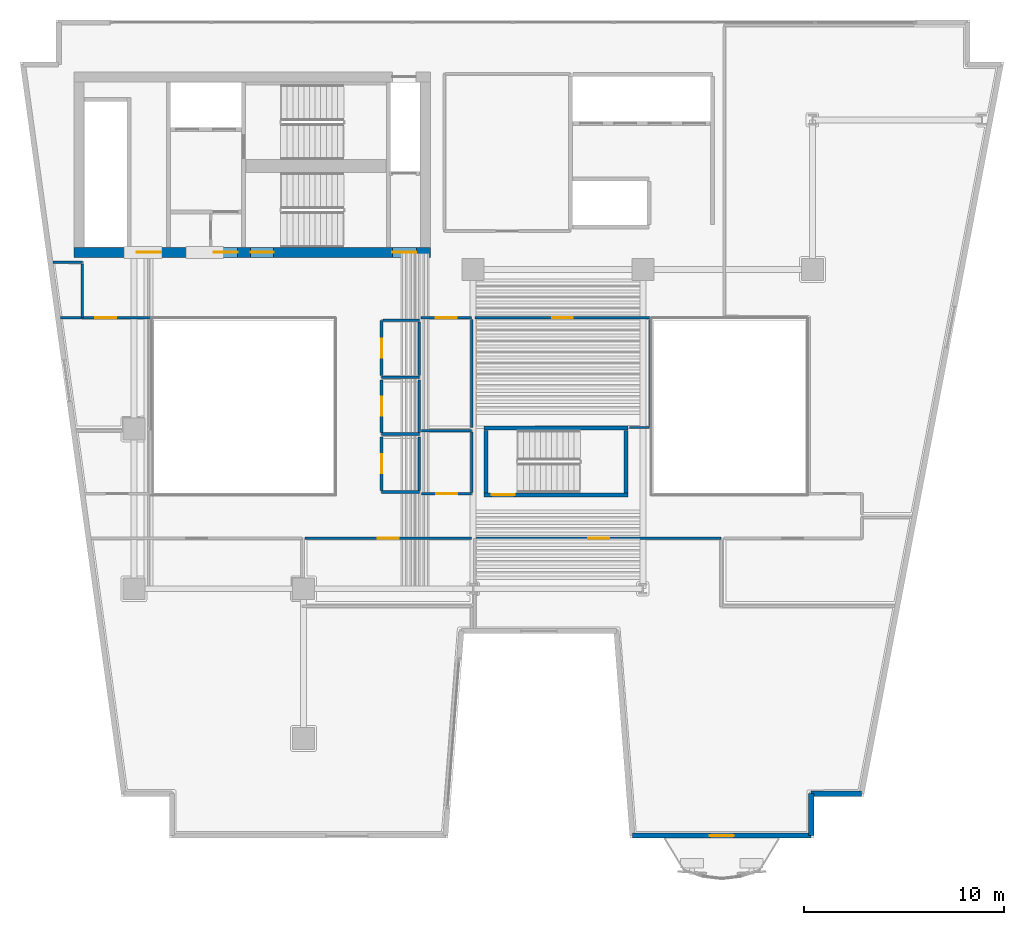
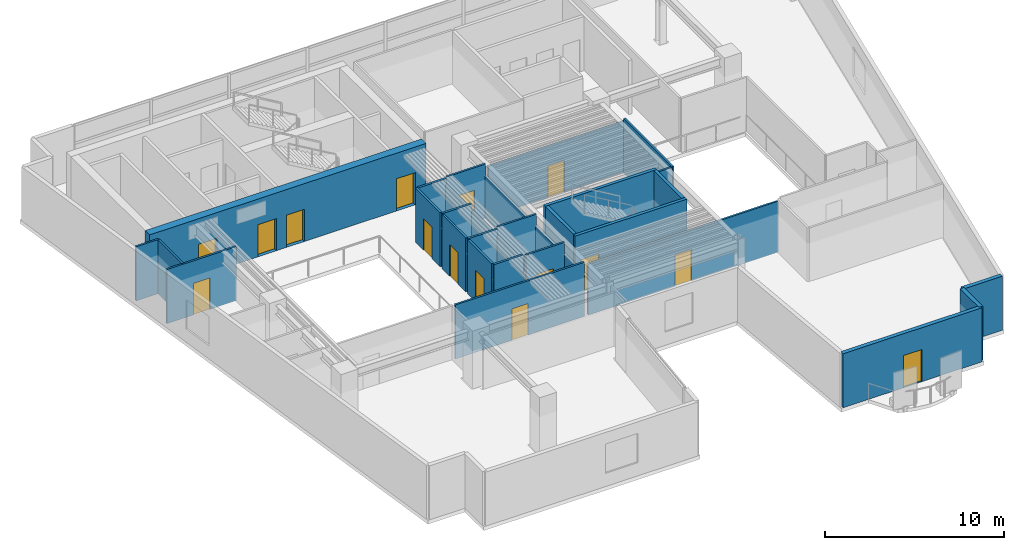
# One storey, part 6 of 12: 31 walls, 15 doors, 15 openings.
"""IFC4 building model written with IfcOpenShell, lengths in metres."""

from ifc_helpers import new_model, si_unit, direction, frame, frame_2d, origin, place, context, subcontext, project, spatial, rectangle, extrude, material, layer, layer_set, type_object, element, fill, save


model = new_model("IFC4")

# Units and contexts
model_context = context("Model", 3, precision=1e-05, world=origin(), true_north=direction((0.0, 1.0)))
body_context = subcontext(model_context, "Body", "Model", "MODEL_VIEW")
ifc_project = project(units=[si_unit("LENGTHUNIT", "METRE"), si_unit("AREAUNIT", "SQUARE_METRE"), si_unit("VOLUMEUNIT", "CUBIC_METRE"), si_unit("PLANEANGLEUNIT", "RADIAN"), si_unit("MASSUNIT", "GRAM", prefix="KILO")], contexts=[model_context])

# Site, building, storey
site_placement = place(None, origin())
site = spatial("IfcSite", under=ifc_project, at=site_placement, CompositionType="ELEMENT")
building_placement = place(site_placement, origin())
building = spatial("IfcBuilding", under=site, at=building_placement, Name="Caeloran Harvest Quay", CompositionType="ELEMENT")
storey_placement = place(building_placement, frame((0.0, 0.0, 119.300048828125)))
storey = spatial("IfcBuildingStorey", under=building, at=storey_placement, Name="L27", CompositionType="ELEMENT", Elevation=119.300048828125)

# Walls
ifc_material_1 = material(Name="Precast concrete C50/60", Category="concrete")
ifc_layer_1 = layer(ifc_material_1, 0.260009765625, Name="Precast concrete C50/60")
ifc_layer_set_1 = layer_set([ifc_layer_1], Name="Precast concrete C50/60")
wall_type_1 = type_object("IfcWallType", Name="ENV-WALL-EW-260", PredefinedType="STANDARD", material=ifc_layer_set_1)
wall_1_placement = place(storey_placement, frame((44.96337890625, 4.72998046875, 0.0), z_axis=(0.0, 0.0, 1.0), x_axis=(-1.0, 0.0, 0.0)))
element("IfcWall", 1, at=wall_1_placement, inside=storey, type_object=wall_type_1, Name="L27 Exterior Precast Concrete Facade Wall 10", PredefinedType="STANDARD", context=body_context, shape_type="SweptSolid", body=[
    extrude(rectangle(XDim=2.5234375, YDim=0.260009765625, at=frame_2d((1.26171875, 0.0))), origin(), (0.0, 0.0, 1.0), 3.68994140625),
])
wall_2_placement = place(storey_placement, frame((42.43994140625, 4.72998046875, 0.0), z_axis=(0.0, 0.0, 1.0), x_axis=(0.0, -1.0, 0.0)))
element("IfcWall", 2, at=wall_2_placement, inside=storey, type_object=wall_type_1, Name="L27 Exterior Precast Concrete Facade Wall 11", PredefinedType="STANDARD", context=body_context, shape_type="SweptSolid", body=[
    extrude(rectangle(XDim=2.10009765625, YDim=0.260009765625, at=frame_2d((1.050048828125, 0.0))), origin(), (0.0, 0.0, 1.0), 3.68994140625),
])

# Wall, opening, door
wall_3_placement = place(storey_placement, frame((42.43994140625, 2.6298828125, 0.0), z_axis=(0.0, 0.0, 1.0), x_axis=(-1.0, 0.0, 0.0)))
wall_3 = element("IfcWall", 3, at=wall_3_placement, inside=storey, type_object=wall_type_1, Name="L27 Exterior Precast Concrete Facade Wall 12", PredefinedType="STANDARD", context=body_context, shape_type="SweptSolid", body=[
    extrude(rectangle(XDim=8.96484375, YDim=0.260009765625, at=frame_2d((4.482421875, 0.0))), origin(), (0.0, 0.0, 1.0), 3.68994140625),
])
opening_1_placement = place(wall_3_placement, frame((3.882080078125, 0.0, 0.0)))
opening_1 = element("IfcOpeningElement", 4, at=opening_1_placement, cuts=wall_3, Name="Opening BD-01", PredefinedType="OPENING", context=body_context, shape_type="SweptSolid", body=[
    extrude(rectangle(XDim=1.199951171875, YDim=2.199951171875, at=frame_2d((0.60009765625, 1.10009765625))), frame((0.0, 0.14013671875, 0.0), z_axis=(0.0, -1.0, 0.0), x_axis=(1.0, 0.0, 0.0)), (0.0, 0.0, 1.0), 0.280029296875),
])
ifc_material_2 = material(Name="Thermally Broken Powder-Coated Aluminium and Safety Glass", Category="aluminium")
door_type_1 = type_object("IfcDoorType", Name="EXTDOOR-BD-01", OperationType="NOTDEFINED", PredefinedType="DOOR", material=ifc_material_2)
door_1_placement = place(opening_1_placement, origin())
door_1 = element("IfcDoor", 5, at=door_1_placement, inside=storey, type_object=door_type_1, Name="L27 Planted Balcony Glazed Access Door", OperationType="SINGLE_SWING_RIGHT", OverallHeight=2.199951171875, OverallWidth=1.199951171875, PredefinedType="DOOR", context=body_context, shape_type="SweptSolid", body=[
    extrude(rectangle(XDim=1.199951171875, YDim=2.199951171875, at=frame_2d((0.60009765625, 1.10009765625))), frame((0.0, 0.02490234375, 0.0), z_axis=(0.0, -1.0, 0.0), x_axis=(1.0, 0.0, 0.0)), (0.0, 0.0, 1.0), 0.050048828125),
])
fill(opening_1, door_1)

ifc_material_3 = material(Name="Twin-Stud Mineral-Wool Acoustic Gypsum Partition", Category="gypsum")
ifc_layer_2 = layer(ifc_material_3, 0.125, Name="Twin-Stud Mineral-Wool Acoustic Gypsum Partition")
ifc_layer_set_2 = layer_set([ifc_layer_2], Name="Twin-Stud Mineral-Wool Acoustic Gypsum Partition")
wall_type_2 = type_object("IfcWallType", Name="INT-WALL-PW-125", PredefinedType="PARTITIONING", material=ifc_layer_set_2)
wall_4_placement = place(storey_placement, frame((25.6474609375, 17.52001953125, 0.0), z_axis=(0.0, 0.0, 1.0), x_axis=(1.0, 0.0, 0.0)))
wall_4 = element("IfcWall", 6, at=wall_4_placement, inside=storey, type_object=wall_type_2, Name="Crop Genomics Wet Laboratory Partition Wall", PredefinedType="PARTITIONING", context=body_context, shape_type="SweptSolid", body=[
    extrude(rectangle(XDim=12.2724609375, YDim=0.125, at=frame_2d((6.13623046875, 0.0))), origin(), (0.0, 0.0, 1.0), 3.474853515625),
])
opening_2_placement = place(wall_4_placement, frame((5.611328125, 0.0, 0.0)))
opening_2 = element("IfcOpeningElement", 7, at=opening_2_placement, cuts=wall_4, Name="Opening ID-03", PredefinedType="OPENING", context=body_context, shape_type="SweptSolid", body=[
    extrude(rectangle(XDim=1.050048828125, YDim=2.14990234375, at=frame_2d((0.52490234375, 1.074951171875))), frame((0.0, 0.072509765625, 0.0), z_axis=(0.0, -1.0, 0.0), x_axis=(1.0, 0.0, 0.0)), (0.0, 0.0, 1.0), 0.14501953125),
])
ifc_material_4 = material(Name="FSC Solid-Core Oak Timber Leaf", Category="wood")
door_type_2 = type_object("IfcDoorType", Name="INTDOOR-ID-03", OperationType="NOTDEFINED", PredefinedType="DOOR", material=ifc_material_4)
door_2_placement = place(opening_2_placement, origin())
door_2 = element("IfcDoor", 8, at=door_2_placement, inside=storey, type_object=door_type_2, Name="Crop Genomics Wet Laboratory Access Door", OperationType="SINGLE_SWING_RIGHT", OverallHeight=2.14990234375, OverallWidth=1.050048828125, PredefinedType="DOOR", context=body_context, shape_type="SweptSolid", body=[
    extrude(rectangle(XDim=1.050048828125, YDim=2.14990234375, at=frame_2d((0.52490234375, 1.074951171875))), frame((0.0, 0.02490234375, 0.0), z_axis=(0.0, -1.0, 0.0), x_axis=(1.0, 0.0, 0.0)), (0.0, 0.0, 1.0), 0.050048828125),
])
fill(opening_2, door_2)

wall_5_placement = place(storey_placement, frame((17.080078125, 17.52001953125, 0.0), z_axis=(0.0, 0.0, 1.0), x_axis=(1.0, 0.0, 0.0)))
wall_5 = element("IfcWall", 9, at=wall_5_placement, inside=storey, type_object=wall_type_2, Name="Phenotyping Sensor Laboratory Partition Wall", PredefinedType="PARTITIONING", context=body_context, shape_type="SweptSolid", body=[
    extrude(rectangle(XDim=8.33984375, YDim=0.125, at=frame_2d((4.169921875, 0.0))), origin(), (0.0, 0.0, 1.0), 3.68994140625),
])
opening_3_placement = place(wall_5_placement, frame((3.64501953125, 0.0, 0.0)))
opening_3 = element("IfcOpeningElement", 10, at=opening_3_placement, cuts=wall_5, Name="Opening ID-03", PredefinedType="OPENING", context=body_context, shape_type="SweptSolid", body=[
    extrude(rectangle(XDim=1.050048828125, YDim=2.14990234375, at=frame_2d((0.52490234375, 1.074951171875))), frame((0.0, 0.072509765625, 0.0), z_axis=(0.0, -1.0, 0.0), x_axis=(1.0, 0.0, 0.0)), (0.0, 0.0, 1.0), 0.14501953125),
])
door_3_placement = place(opening_3_placement, origin())
door_3 = element("IfcDoor", 11, at=door_3_placement, inside=storey, type_object=door_type_2, Name="Phenotyping Sensor Laboratory Access Door", OperationType="SINGLE_SWING_LEFT", OverallHeight=2.14990234375, OverallWidth=1.050048828125, PredefinedType="DOOR", context=body_context, shape_type="SweptSolid", body=[
    extrude(rectangle(XDim=1.050048828125, YDim=2.14990234375, at=frame_2d((0.52490234375, 1.074951171875))), frame((0.0, 0.02490234375, 0.0), z_axis=(0.0, -1.0, 0.0), x_axis=(1.0, 0.0, 0.0)), (0.0, 0.0, 1.0), 0.050048828125),
])
fill(opening_3, door_3)

wall_6_placement = place(storey_placement, frame((25.419921875, 19.75, 0.0), z_axis=(0.0, 0.0, 1.0), x_axis=(-1.0, 0.0, 0.0)))
wall_6 = element("IfcWall", 12, at=wall_6_placement, inside=storey, type_object=wall_type_2, Name="R&D Project Conference Room Partition Wall", PredefinedType="PARTITIONING", context=body_context, shape_type="SweptSolid", body=[
    extrude(rectangle(XDim=2.510009765625, YDim=0.125, at=frame_2d((1.2548828125, 0.0))), origin(), (0.0, 0.0, 1.0), 3.68994140625),
])
opening_4_placement = place(wall_6_placement, frame((0.72998046875, 0.0, 0.0)))
opening_4 = element("IfcOpeningElement", 13, at=opening_4_placement, cuts=wall_6, Name="Opening ID-03", PredefinedType="OPENING", context=body_context, shape_type="SweptSolid", body=[
    extrude(rectangle(XDim=1.050048828125, YDim=2.14990234375, at=frame_2d((0.52490234375, 1.074951171875))), frame((0.0, 0.072509765625, 0.0), z_axis=(0.0, -1.0, 0.0), x_axis=(1.0, 0.0, 0.0)), (0.0, 0.0, 1.0), 0.14501953125),
])
door_4_placement = place(opening_4_placement, origin())
door_4 = element("IfcDoor", 14, at=door_4_placement, inside=storey, type_object=door_type_2, Name="R&D Project Conference Room Access Door", OperationType="SINGLE_SWING_LEFT", OverallHeight=2.14990234375, OverallWidth=1.050048828125, PredefinedType="DOOR", context=body_context, shape_type="SweptSolid", body=[
    extrude(rectangle(XDim=1.050048828125, YDim=2.14990234375, at=frame_2d((0.52490234375, 1.074951171875))), frame((0.0, 0.02490234375, 0.0), z_axis=(0.0, -1.0, 0.0), x_axis=(1.0, 0.0, 0.0)), (0.0, 0.0, 1.0), 0.050048828125),
])
fill(opening_4, door_4)

# Walls
wall_7_placement = place(storey_placement, frame((22.909912109375, 22.919921875, 0.0), z_axis=(0.0, 0.0, 1.0), x_axis=(1.0, 0.0, 0.0)))
element("IfcWall", 15, at=wall_7_placement, inside=storey, type_object=wall_type_2, Name="R&D Project Conference Room Partition Wall", PredefinedType="PARTITIONING", context=body_context, shape_type="SweptSolid", body=[
    extrude(rectangle(XDim=2.510009765625, YDim=0.125, at=frame_2d((1.2548828125, 0.0))), origin(), (0.0, 0.0, 1.0), 3.68994140625),
])
wall_8_placement = place(storey_placement, frame((25.419921875, 22.8525390625, 0.0), z_axis=(0.0, 0.0, 1.0), x_axis=(0.0, -1.0, 0.0)))
element("IfcWall", 16, at=wall_8_placement, inside=storey, type_object=wall_type_2, Name="R&D Project Conference Room Partition Wall", PredefinedType="PARTITIONING", context=body_context, shape_type="SweptSolid", body=[
    extrude(rectangle(XDim=3.03515625, YDim=0.125, at=frame_2d((1.517578125, 0.0))), origin(), (0.0, 0.0, 1.0), 2.875),
])

# Wall, opening, door
wall_9_placement = place(storey_placement, frame((22.889892578125, 28.570068359375, 0.0), z_axis=(0.0, 0.0, 1.0), x_axis=(1.0, 0.0, 0.0)))
wall_9 = element("IfcWall", 17, at=wall_9_placement, inside=storey, type_object=wall_type_2, Name="Instrument Calibration Laboratory Partition Wall", PredefinedType="PARTITIONING", context=body_context, shape_type="SweptSolid", body=[
    extrude(rectangle(XDim=2.530029296875, YDim=0.125, at=frame_2d((1.26513671875, 0.0))), origin(), (0.0, 0.0, 1.0), 3.68994140625),
])
opening_5_placement = place(wall_9_placement, frame((0.739990234375, 0.0, 0.0)))
opening_5 = element("IfcOpeningElement", 18, at=opening_5_placement, cuts=wall_9, Name="Opening ID-03", PredefinedType="OPENING", context=body_context, shape_type="SweptSolid", body=[
    extrude(rectangle(XDim=1.050048828125, YDim=2.14990234375, at=frame_2d((0.52490234375, 1.074951171875))), frame((0.0, 0.072509765625, 0.0), z_axis=(0.0, -1.0, 0.0), x_axis=(1.0, 0.0, 0.0)), (0.0, 0.0, 1.0), 0.14501953125),
])
door_5_placement = place(opening_5_placement, origin())
door_5 = element("IfcDoor", 19, at=door_5_placement, inside=storey, type_object=door_type_2, Name="Instrument Calibration Laboratory Access Door", OperationType="SINGLE_SWING_LEFT", OverallHeight=2.14990234375, OverallWidth=1.050048828125, PredefinedType="DOOR", context=body_context, shape_type="SweptSolid", body=[
    extrude(rectangle(XDim=1.050048828125, YDim=2.14990234375, at=frame_2d((0.52490234375, 1.074951171875))), frame((0.0, 0.02490234375, 0.0), z_axis=(0.0, -1.0, 0.0), x_axis=(1.0, 0.0, 0.0)), (0.0, 0.0, 1.0), 0.050048828125),
])
fill(opening_5, door_5)

# Wall
wall_10_placement = place(storey_placement, frame((25.419921875, 28.50244140625, 0.0), z_axis=(0.0, 0.0, 1.0), x_axis=(0.0, -1.0, 0.0)))
element("IfcWall", 20, at=wall_10_placement, inside=storey, type_object=wall_type_2, Name="Instrument Calibration Laboratory Partition Wall", PredefinedType="PARTITIONING", context=body_context, shape_type="SweptSolid", body=[
    extrude(rectangle(XDim=5.42236328125, YDim=0.125, at=frame_2d((2.711181640625, 0.0))), origin(), (0.0, 0.0, 1.0), 2.875),
])

# Wall, opening, door
wall_11_placement = place(storey_placement, frame((25.580078125, 28.570068359375, 0.0), z_axis=(0.0, 0.0, 1.0), x_axis=(1.0, 0.0, 0.0)))
wall_11 = element("IfcWall", 21, at=wall_11_placement, inside=storey, type_object=wall_type_2, Name="Agri-Robotics Open Research Workspace 8 Partition Wall", PredefinedType="PARTITIONING", context=body_context, shape_type="SweptSolid", body=[
    extrude(rectangle(XDim=8.7900390625, YDim=0.125, at=frame_2d((4.39501953125, 0.0))), origin(), (0.0, 0.0, 1.0), 3.474853515625),
])
opening_6_placement = place(wall_11_placement, frame((3.8701171875, 0.0, 0.0)))
opening_6 = element("IfcOpeningElement", 22, at=opening_6_placement, cuts=wall_11, Name="Opening ID-03", PredefinedType="OPENING", context=body_context, shape_type="SweptSolid", body=[
    extrude(rectangle(XDim=1.050048828125, YDim=2.14990234375, at=frame_2d((0.52490234375, 1.074951171875))), frame((0.0, 0.072509765625, 0.0), z_axis=(0.0, -1.0, 0.0), x_axis=(1.0, 0.0, 0.0)), (0.0, 0.0, 1.0), 0.14501953125),
])
door_6_placement = place(opening_6_placement, origin())
door_6 = element("IfcDoor", 23, at=door_6_placement, inside=storey, type_object=door_type_2, Name="Agri-Robotics Open Research Workspace 8 Access Door", OperationType="SINGLE_SWING_RIGHT", OverallHeight=2.14990234375, OverallWidth=1.050048828125, PredefinedType="DOOR", context=body_context, shape_type="SweptSolid", body=[
    extrude(rectangle(XDim=1.050048828125, YDim=2.14990234375, at=frame_2d((0.52490234375, 1.074951171875))), frame((0.0, 0.02490234375, 0.0), z_axis=(0.0, -1.0, 0.0), x_axis=(1.0, 0.0, 0.0)), (0.0, 0.0, 1.0), 0.050048828125),
])
fill(opening_6, door_6)

# Walls
wall_12_placement = place(storey_placement, frame((34.3701171875, 28.50244140625, 0.0), z_axis=(0.0, 0.0, 1.0), x_axis=(0.0, -1.0, 0.0)))
element("IfcWall", 24, at=wall_12_placement, inside=storey, type_object=wall_type_2, Name="Agri-Robotics Open Research Workspace 8 Partition Wall", PredefinedType="PARTITIONING", context=body_context, shape_type="SweptSolid", body=[
    extrude(rectangle(XDim=5.42236328125, YDim=0.125, at=frame_2d((2.711181640625, 0.0))), origin(), (0.0, 0.0, 1.0), 3.68994140625),
])
wall_13_placement = place(storey_placement, frame((34.302490234375, 23.080078125, 0.0), z_axis=(0.0, 0.0, 1.0), x_axis=(-1.0, 0.0, 0.0)))
element("IfcWall", 25, at=wall_13_placement, inside=storey, type_object=wall_type_2, Name="Agri-Robotics Open Research Workspace 8 Partition Wall", PredefinedType="PARTITIONING", context=body_context, shape_type="SweptSolid", body=[
    extrude(rectangle(XDim=0.97802734375, YDim=0.125, at=frame_2d((0.489013671875, 0.0))), origin(), (0.0, 0.0, 1.0), 3.68994140625),
])
wall_14_placement = place(storey_placement, frame((4.44775390625, 31.35009765625, 0.0), z_axis=(0.0, 0.0, 1.0), x_axis=(1.0, 0.0, 0.0)))
element("IfcWall", 26, at=wall_14_placement, inside=storey, type_object=wall_type_2, Name="Crop Genomics Wet Laboratory 9 Partition Wall", PredefinedType="PARTITIONING", context=body_context, shape_type="SweptSolid", body=[
    extrude(rectangle(XDim=1.47216796875, YDim=0.125, at=frame_2d((0.736083984375, 0.0))), origin(), (0.0, 0.0, 1.0), 3.68994140625),
])
wall_15_placement = place(storey_placement, frame((5.919921875, 31.282470703125, 0.0), z_axis=(0.0, 0.0, 1.0), x_axis=(0.0, -1.0, 0.0)))
element("IfcWall", 27, at=wall_15_placement, inside=storey, type_object=wall_type_2, Name="Crop Genomics Wet Laboratory 9 Partition Wall", PredefinedType="PARTITIONING", context=body_context, shape_type="SweptSolid", body=[
    extrude(rectangle(XDim=2.682373046875, YDim=0.125, at=frame_2d((1.34130859375, 0.0))), origin(), (0.0, 0.0, 1.0), 3.68994140625),
])

# Wall, opening, door
wall_16_placement = place(storey_placement, frame((4.832275390625, 28.570068359375, 0.0), z_axis=(0.0, 0.0, 1.0), x_axis=(1.0, 0.0, 0.0)))
wall_16 = element("IfcWall", 28, at=wall_16_placement, inside=storey, type_object=wall_type_2, Name="Crop Genomics Wet Laboratory 9 Partition Wall", PredefinedType="PARTITIONING", context=body_context, shape_type="SweptSolid", body=[
    extrude(rectangle(XDim=4.48779296875, YDim=0.125, at=frame_2d((2.243896484375, 0.0))), origin(), (0.0, 0.0, 1.0), 3.68994140625),
])
opening_7_placement = place(wall_16_placement, frame((1.718994140625, 0.0, 0.0)))
opening_7 = element("IfcOpeningElement", 29, at=opening_7_placement, cuts=wall_16, Name="Opening ID-03", PredefinedType="OPENING", context=body_context, shape_type="SweptSolid", body=[
    extrude(rectangle(XDim=1.050048828125, YDim=2.14990234375, at=frame_2d((0.52490234375, 1.074951171875))), frame((0.0, 0.072509765625, 0.0), z_axis=(0.0, -1.0, 0.0), x_axis=(1.0, 0.0, 0.0)), (0.0, 0.0, 1.0), 0.14501953125),
])
door_7_placement = place(opening_7_placement, origin())
door_7 = element("IfcDoor", 30, at=door_7_placement, inside=storey, type_object=door_type_2, Name="Crop Genomics Wet Laboratory 9 Access Door", OperationType="SINGLE_SWING_LEFT", OverallHeight=2.14990234375, OverallWidth=1.050048828125, PredefinedType="DOOR", context=body_context, shape_type="SweptSolid", body=[
    extrude(rectangle(XDim=1.050048828125, YDim=2.14990234375, at=frame_2d((0.52490234375, 1.074951171875))), frame((0.0, 0.02490234375, 0.0), z_axis=(0.0, -1.0, 0.0), x_axis=(1.0, 0.0, 0.0)), (0.0, 0.0, 1.0), 0.050048828125),
])
fill(opening_7, door_7)

# Wall
ifc_material_5 = material(Name="Moisture-Resistant Cement-Board Sanitary Partition", Category="gypsum")
ifc_layer_3 = layer(ifc_material_5, 0.139892578125, Name="Moisture-Resistant Cement-Board Sanitary Partition")
ifc_layer_set_3 = layer_set([ifc_layer_3], Name="Moisture-Resistant Cement-Board Sanitary Partition")
wall_type_3 = type_object("IfcWallType", Name="INT-WALL-PW-140", PredefinedType="PARTITIONING", material=ifc_layer_set_3)
wall_17_placement = place(storey_placement, frame((22.800048828125, 25.60009765625, 0.0), z_axis=(0.0, 0.0, 1.0), x_axis=(-1.0, 0.0, 0.0)))
element("IfcWall", 31, at=wall_17_placement, inside=storey, type_object=wall_type_3, Name="L27 Male Washroom WC Partition Wall", PredefinedType="PARTITIONING", context=body_context, shape_type="SweptSolid", body=[
    extrude(rectangle(XDim=1.89013671875, YDim=0.139892578125, at=frame_2d((0.945068359375, 0.0))), origin(), (0.0, 0.0, 1.0), 3.68994140625),
])

# Wall, opening, door
wall_18_placement = place(storey_placement, frame((20.909912109375, 25.675048828125, 0.0), z_axis=(0.0, 0.0, 1.0), x_axis=(0.0, 1.0, 0.0)))
wall_18 = element("IfcWall", 32, at=wall_18_placement, inside=storey, type_object=wall_type_3, Name="L27 Male Washroom WC Partition Wall", PredefinedType="PARTITIONING", context=body_context, shape_type="SweptSolid", body=[
    extrude(rectangle(XDim=2.77490234375, YDim=0.139892578125, at=frame_2d((1.387451171875, 0.0))), origin(), (0.0, 0.0, 1.0), 3.68994140625),
])
opening_8_placement = place(wall_18_placement, frame((0.91259765625, 0.0, 0.0)))
opening_8 = element("IfcOpeningElement", 33, at=opening_8_placement, cuts=wall_18, Name="Opening WC-01", PredefinedType="OPENING", context=body_context, shape_type="SweptSolid", body=[
    extrude(rectangle(XDim=0.949951171875, YDim=2.14990234375, at=frame_2d((0.47509765625, 1.074951171875))), frame((0.0, 0.080078125, 0.0), z_axis=(0.0, -1.0, 0.0), x_axis=(1.0, 0.0, 0.0)), (0.0, 0.0, 1.0), 0.159912109375),
])
ifc_material_6 = material(Name="High-Pressure Laminate Moisture-Resistant Timber", Category="wood")
door_type_3 = type_object("IfcDoorType", Name="INTDOOR-WC-01", OperationType="NOTDEFINED", PredefinedType="DOOR", material=ifc_material_6)
door_8_placement = place(opening_8_placement, origin())
door_8 = element("IfcDoor", 34, at=door_8_placement, inside=storey, type_object=door_type_3, Name="L27 Male Washroom WC Access Door", OperationType="SINGLE_SWING_RIGHT", OverallHeight=2.14990234375, OverallWidth=0.949951171875, PredefinedType="DOOR", context=body_context, shape_type="SweptSolid", body=[
    extrude(rectangle(XDim=0.949951171875, YDim=2.14990234375, at=frame_2d((0.47509765625, 1.074951171875))), frame((0.0, 0.02490234375, 0.0), z_axis=(0.0, -1.0, 0.0), x_axis=(1.0, 0.0, 0.0)), (0.0, 0.0, 1.0), 0.050048828125),
])
fill(opening_8, door_8)

# Walls
wall_19_placement = place(storey_placement, frame((20.985107421875, 28.449951171875, 0.0), z_axis=(0.0, 0.0, 1.0), x_axis=(1.0, 0.0, 0.0)))
element("IfcWall", 35, at=wall_19_placement, inside=storey, type_object=wall_type_3, Name="L27 Male Washroom WC Partition Wall", PredefinedType="PARTITIONING", context=body_context, shape_type="SweptSolid", body=[
    extrude(rectangle(XDim=1.81494140625, YDim=0.139892578125, at=frame_2d((0.907470703125, 0.0))), origin(), (0.0, 0.0, 1.0), 3.68994140625),
])
wall_20_placement = place(storey_placement, frame((22.800048828125, 28.375, 0.0), z_axis=(0.0, 0.0, 1.0), x_axis=(0.0, -1.0, 0.0)))
element("IfcWall", 36, at=wall_20_placement, inside=storey, type_object=wall_type_3, Name="L27 Male Washroom WC Partition Wall", PredefinedType="PARTITIONING", context=body_context, shape_type="SweptSolid", body=[
    extrude(rectangle(XDim=2.699951171875, YDim=0.139892578125, at=frame_2d((1.35009765625, 0.0))), origin(), (0.0, 0.0, 1.0), 3.31494140625),
])
wall_21_placement = place(storey_placement, frame((22.800048828125, 22.75, 0.0), z_axis=(0.0, 0.0, 1.0), x_axis=(-1.0, 0.0, 0.0)))
element("IfcWall", 37, at=wall_21_placement, inside=storey, type_object=wall_type_3, Name="L27 Female Washroom WC Partition Wall", PredefinedType="PARTITIONING", context=body_context, shape_type="SweptSolid", body=[
    extrude(rectangle(XDim=1.89013671875, YDim=0.139892578125, at=frame_2d((0.945068359375, 0.0))), origin(), (0.0, 0.0, 1.0), 3.68994140625),
])

# Wall, opening, door
wall_22_placement = place(storey_placement, frame((20.909912109375, 22.824951171875, 0.0), z_axis=(0.0, 0.0, 1.0), x_axis=(0.0, 1.0, 0.0)))
wall_22 = element("IfcWall", 38, at=wall_22_placement, inside=storey, type_object=wall_type_3, Name="L27 Female Washroom WC Partition Wall", PredefinedType="PARTITIONING", context=body_context, shape_type="SweptSolid", body=[
    extrude(rectangle(XDim=2.625, YDim=0.139892578125, at=frame_2d((1.3125, 0.0))), origin(), (0.0, 0.0, 1.0), 3.68994140625),
])
opening_9_placement = place(wall_22_placement, frame((0.83740234375, 0.0, 0.0)))
opening_9 = element("IfcOpeningElement", 39, at=opening_9_placement, cuts=wall_22, Name="Opening WC-01", PredefinedType="OPENING", context=body_context, shape_type="SweptSolid", body=[
    extrude(rectangle(XDim=0.949951171875, YDim=2.14990234375, at=frame_2d((0.47509765625, 1.074951171875))), frame((0.0, 0.080078125, 0.0), z_axis=(0.0, -1.0, 0.0), x_axis=(1.0, 0.0, 0.0)), (0.0, 0.0, 1.0), 0.159912109375),
])
door_9_placement = place(opening_9_placement, origin())
door_9 = element("IfcDoor", 40, at=door_9_placement, inside=storey, type_object=door_type_3, Name="L27 Female Washroom WC Access Door", OperationType="SINGLE_SWING_LEFT", OverallHeight=2.14990234375, OverallWidth=0.949951171875, PredefinedType="DOOR", context=body_context, shape_type="SweptSolid", body=[
    extrude(rectangle(XDim=0.949951171875, YDim=2.14990234375, at=frame_2d((0.47509765625, 1.074951171875))), frame((0.0, 0.02490234375, 0.0), z_axis=(0.0, -1.0, 0.0), x_axis=(1.0, 0.0, 0.0)), (0.0, 0.0, 1.0), 0.050048828125),
])
fill(opening_9, door_9)

# Walls
wall_23_placement = place(storey_placement, frame((22.800048828125, 25.449951171875, 0.0), z_axis=(0.0, 0.0, 1.0), x_axis=(0.0, -1.0, 0.0)))
element("IfcWall", 41, at=wall_23_placement, inside=storey, type_object=wall_type_3, Name="L27 Female Washroom WC Partition Wall", PredefinedType="PARTITIONING", context=body_context, shape_type="SweptSolid", body=[
    extrude(rectangle(XDim=2.625, YDim=0.139892578125, at=frame_2d((1.3125, 0.0))), origin(), (0.0, 0.0, 1.0), 3.31494140625),
])
wall_24_placement = place(storey_placement, frame((22.800048828125, 19.85009765625, 0.0), z_axis=(0.0, 0.0, 1.0), x_axis=(-1.0, 0.0, 0.0)))
element("IfcWall", 42, at=wall_24_placement, inside=storey, type_object=wall_type_3, Name="L27 Accessible Unisex Washroom WC Partition Wall", PredefinedType="PARTITIONING", context=body_context, shape_type="SweptSolid", body=[
    extrude(rectangle(XDim=1.89013671875, YDim=0.139892578125, at=frame_2d((0.945068359375, 0.0))), origin(), (0.0, 0.0, 1.0), 3.68994140625),
])

# Wall, opening, door
wall_25_placement = place(storey_placement, frame((20.909912109375, 19.925048828125, 0.0), z_axis=(0.0, 0.0, 1.0), x_axis=(0.0, 1.0, 0.0)))
wall_25 = element("IfcWall", 43, at=wall_25_placement, inside=storey, type_object=wall_type_3, Name="L27 Accessible Unisex Washroom WC Partition Wall", PredefinedType="PARTITIONING", context=body_context, shape_type="SweptSolid", body=[
    extrude(rectangle(XDim=2.675048828125, YDim=0.139892578125, at=frame_2d((1.33740234375, 0.0))), origin(), (0.0, 0.0, 1.0), 3.68994140625),
])
opening_10_placement = place(wall_25_placement, frame((0.862548828125, 0.0, 0.0)))
opening_10 = element("IfcOpeningElement", 44, at=opening_10_placement, cuts=wall_25, Name="Opening WC-01", PredefinedType="OPENING", context=body_context, shape_type="SweptSolid", body=[
    extrude(rectangle(XDim=0.949951171875, YDim=2.14990234375, at=frame_2d((0.47509765625, 1.074951171875))), frame((0.0, 0.080078125, 0.0), z_axis=(0.0, -1.0, 0.0), x_axis=(1.0, 0.0, 0.0)), (0.0, 0.0, 1.0), 0.159912109375),
])
door_10_placement = place(opening_10_placement, origin())
door_10 = element("IfcDoor", 45, at=door_10_placement, inside=storey, type_object=door_type_3, Name="L27 Accessible Unisex Washroom WC Access Door", OperationType="SINGLE_SWING_RIGHT", OverallHeight=2.14990234375, OverallWidth=0.949951171875, PredefinedType="DOOR", context=body_context, shape_type="SweptSolid", body=[
    extrude(rectangle(XDim=0.949951171875, YDim=2.14990234375, at=frame_2d((0.47509765625, 1.074951171875))), frame((0.0, 0.02490234375, 0.0), z_axis=(0.0, -1.0, 0.0), x_axis=(1.0, 0.0, 0.0)), (0.0, 0.0, 1.0), 0.050048828125),
])
fill(opening_10, door_10)

# Wall
wall_26_placement = place(storey_placement, frame((22.800048828125, 22.60009765625, 0.0), z_axis=(0.0, 0.0, 1.0), x_axis=(0.0, -1.0, 0.0)))
element("IfcWall", 46, at=wall_26_placement, inside=storey, type_object=wall_type_3, Name="L27 Accessible Unisex Washroom WC Partition Wall", PredefinedType="PARTITIONING", context=body_context, shape_type="SweptSolid", body=[
    extrude(rectangle(XDim=2.675048828125, YDim=0.139892578125, at=frame_2d((1.33740234375, 0.0))), origin(), (0.0, 0.0, 1.0), 3.31494140625),
])

# Wall, openings, doors
ifc_material_7 = material(Name="Concrete C70/85", Category="concrete")
ifc_layer_4 = layer(ifc_material_7, 0.5, Name="Concrete C70/85")
ifc_layer_set_4 = layer_set([ifc_layer_4], Name="Concrete C70/85")
wall_type_4 = type_object("IfcWallType", Name="STR-WALL-CW-500", PredefinedType="SHEAR", material=ifc_layer_set_4)
wall_27_placement = place(storey_placement, frame((5.5, 31.85009765625, 0.0), z_axis=(0.0, 0.0, 1.0), x_axis=(1.0, 0.0, 0.0)))
wall_27 = element("IfcWall", 47, at=wall_27_placement, inside=storey, type_object=wall_type_4, Name="L27 Rear Core Shear Wall S", PredefinedType="SHEAR", context=body_context, shape_type="SweptSolid", body=[
    extrude(rectangle(XDim=17.85009765625, YDim=0.5, at=frame_2d((8.925048828125, 0.0))), origin(), (0.0, 0.0, 1.0), 3.949951171875),
])
opening_11_placement = place(wall_27_placement, frame((3.14990234375, 0.0, 0.0)))
opening_11 = element("IfcOpeningElement", 48, at=opening_11_placement, cuts=wall_27, Name="Opening FD-01", PredefinedType="OPENING", context=body_context, shape_type="SweptSolid", body=[
    extrude(rectangle(XDim=1.199951171875, YDim=2.199951171875, at=frame_2d((0.60009765625, 1.10009765625))), frame((0.0, 0.260009765625, 0.0), z_axis=(0.0, -1.0, 0.0), x_axis=(1.0, 0.0, 0.0)), (0.0, 0.0, 1.0), 0.52001953125),
])
opening_12_placement = place(wall_27_placement, frame((7.0, 0.0, 0.0)))
opening_12 = element("IfcOpeningElement", 49, at=opening_12_placement, cuts=wall_27, Name="Opening FD-01", PredefinedType="OPENING", context=body_context, shape_type="SweptSolid", body=[
    extrude(rectangle(XDim=1.199951171875, YDim=2.199951171875, at=frame_2d((0.60009765625, 1.10009765625))), frame((0.0, 0.260009765625, 0.0), z_axis=(0.0, -1.0, 0.0), x_axis=(1.0, 0.0, 0.0)), (0.0, 0.0, 1.0), 0.52001953125),
])
opening_13_placement = place(wall_27_placement, frame((8.85009765625, 0.0, 0.0)))
opening_13 = element("IfcOpeningElement", 50, at=opening_13_placement, cuts=wall_27, Name="Opening SD-01", PredefinedType="OPENING", context=body_context, shape_type="SweptSolid", body=[
    extrude(rectangle(XDim=1.14990234375, YDim=2.199951171875, at=frame_2d((0.574951171875, 1.10009765625))), frame((0.0, 0.260009765625, 0.0), z_axis=(0.0, -1.0, 0.0), x_axis=(1.0, 0.0, 0.0)), (0.0, 0.0, 1.0), 0.52001953125),
])
opening_14_placement = place(wall_27_placement, frame((15.949951171875, 0.0, 0.0)))
opening_14 = element("IfcOpeningElement", 51, at=opening_14_placement, cuts=wall_27, Name="Opening FD-01", PredefinedType="OPENING", context=body_context, shape_type="SweptSolid", body=[
    extrude(rectangle(XDim=1.199951171875, YDim=2.199951171875, at=frame_2d((0.60009765625, 1.10009765625))), frame((0.0, 0.260009765625, 0.0), z_axis=(0.0, -1.0, 0.0), x_axis=(1.0, 0.0, 0.0)), (0.0, 0.0, 1.0), 0.52001953125),
])
ifc_material_8 = material(Name="Steel", Category="steel")
door_type_4 = type_object("IfcDoorType", Name="INTDOOR-FD-01", OperationType="NOTDEFINED", PredefinedType="DOOR", material=ifc_material_8)
door_11_placement = place(opening_11_placement, origin())
door_11 = element("IfcDoor", 52, at=door_11_placement, inside=storey, type_object=door_type_4, Name="L27 High-Rise Lift Lobby Fire Door", OperationType="SINGLE_SWING_LEFT", OverallHeight=2.199951171875, OverallWidth=1.199951171875, PredefinedType="DOOR", context=body_context, shape_type="SweptSolid", body=[
    extrude(rectangle(XDim=1.199951171875, YDim=2.199951171875, at=frame_2d((0.60009765625, 1.10009765625))), frame((0.0, 0.02490234375, 0.0), z_axis=(0.0, -1.0, 0.0), x_axis=(1.0, 0.0, 0.0)), (0.0, 0.0, 1.0), 0.050048828125),
])
fill(opening_11, door_11)
door_12_placement = place(opening_12_placement, origin())
door_12 = element("IfcDoor", 53, at=door_12_placement, inside=storey, type_object=door_type_4, Name="L27 Firefighting Lobby Vestibule Fire Door", OperationType="SINGLE_SWING_RIGHT", OverallHeight=2.199951171875, OverallWidth=1.199951171875, PredefinedType="DOOR", context=body_context, shape_type="SweptSolid", body=[
    extrude(rectangle(XDim=1.199951171875, YDim=2.199951171875, at=frame_2d((0.60009765625, 1.10009765625))), frame((0.0, 0.02490234375, 0.0), z_axis=(0.0, -1.0, 0.0), x_axis=(1.0, 0.0, 0.0)), (0.0, 0.0, 1.0), 0.050048828125),
])
fill(opening_12, door_12)
door_13_placement = place(opening_14_placement, origin())
door_13 = element("IfcDoor", 54, at=door_13_placement, inside=storey, type_object=door_type_4, Name="L27 Service Lift Lobby Fire Door", OperationType="SINGLE_SWING_RIGHT", OverallHeight=2.199951171875, OverallWidth=1.199951171875, PredefinedType="DOOR", context=body_context, shape_type="SweptSolid", body=[
    extrude(rectangle(XDim=1.199951171875, YDim=2.199951171875, at=frame_2d((0.60009765625, 1.10009765625))), frame((0.0, 0.02490234375, 0.0), z_axis=(0.0, -1.0, 0.0), x_axis=(1.0, 0.0, 0.0)), (0.0, 0.0, 1.0), 0.050048828125),
])
fill(opening_14, door_13)
door_type_5 = type_object("IfcDoorType", Name="INTDOOR-SD-01", OperationType="NOTDEFINED", PredefinedType="DOOR", material=ifc_material_8)
door_14_placement = place(opening_13_placement, origin())
door_14 = element("IfcDoor", 55, at=door_14_placement, inside=storey, type_object=door_type_5, Name="L27 Protected Stair ST-C2 Exit Door", OperationType="SINGLE_SWING_LEFT", OverallHeight=2.199951171875, OverallWidth=1.14990234375, PredefinedType="DOOR", context=body_context, shape_type="SweptSolid", body=[
    extrude(rectangle(XDim=1.14990234375, YDim=2.199951171875, at=frame_2d((0.574951171875, 1.10009765625))), frame((0.0, 0.02490234375, 0.0), z_axis=(0.0, -1.0, 0.0), x_axis=(1.0, 0.0, 0.0)), (0.0, 0.0, 1.0), 0.050048828125),
])
fill(opening_13, door_14)

# Wall, opening, door
ifc_material_9 = material(Name="Concrete C60/75", Category="concrete")
ifc_layer_5 = layer(ifc_material_9, 0.199951171875, Name="Concrete C60/75")
ifc_layer_set_5 = layer_set([ifc_layer_5], Name="Concrete C60/75")
wall_type_5 = type_object("IfcWallType", Name="STR-WALL-SW-200", PredefinedType="SHEAR", material=ifc_layer_set_5)
wall_28_placement = place(storey_placement, frame((26.050048828125, 19.699951171875, 0.0), z_axis=(0.0, 0.0, 1.0), x_axis=(1.0, 0.0, 0.0)))
wall_28 = element("IfcWall", 56, at=wall_28_placement, inside=storey, type_object=wall_type_5, Name="L27 Stair ST-W1 S RC Shaft Shear Wall", PredefinedType="SHEAR", context=body_context, shape_type="SweptSolid", body=[
    extrude(rectangle(XDim=7.199951171875, YDim=0.199951171875, at=frame_2d((3.60009765625, 0.0))), origin(), (0.0, 0.0, 1.0), 3.949951171875),
])
opening_15_placement = place(wall_28_placement, frame((0.3798828125, 0.0, 0.0)))
opening_15 = element("IfcOpeningElement", 57, at=opening_15_placement, cuts=wall_28, Name="Opening SD-01", PredefinedType="OPENING", context=body_context, shape_type="SweptSolid", body=[
    extrude(rectangle(XDim=1.14990234375, YDim=2.199951171875, at=frame_2d((0.574951171875, 1.10009765625))), frame((0.0, 0.10986328125, 0.0), z_axis=(0.0, -1.0, 0.0), x_axis=(1.0, 0.0, 0.0)), (0.0, 0.0, 1.0), 0.219970703125),
])
door_15_placement = place(opening_15_placement, origin())
door_15 = element("IfcDoor", 58, at=door_15_placement, inside=storey, type_object=door_type_5, Name="L27 Protected Exit Stair ST-W1 Fire Door", OperationType="SINGLE_SWING_RIGHT", OverallHeight=2.199951171875, OverallWidth=1.14990234375, PredefinedType="DOOR", context=body_context, shape_type="SweptSolid", body=[
    extrude(rectangle(XDim=1.14990234375, YDim=2.199951171875, at=frame_2d((0.574951171875, 1.10009765625))), frame((0.0, 0.02490234375, 0.0), z_axis=(0.0, -1.0, 0.0), x_axis=(1.0, 0.0, 0.0)), (0.0, 0.0, 1.0), 0.050048828125),
])
fill(opening_15, door_15)

# Walls
wall_29_placement = place(storey_placement, frame((26.050048828125, 23.050048828125, 0.0), z_axis=(0.0, 0.0, 1.0), x_axis=(1.0, 0.0, 0.0)))
element("IfcWall", 59, at=wall_29_placement, inside=storey, type_object=wall_type_5, Name="L27 Stair ST-W1 N RC Shaft Shear Wall", PredefinedType="SHEAR", context=body_context, shape_type="SweptSolid", body=[
    extrude(rectangle(XDim=7.199951171875, YDim=0.199951171875, at=frame_2d((3.60009765625, 0.0))), origin(), (0.0, 0.0, 1.0), 3.949951171875),
])
for number, where, z_axis, x_axis, name in (
    (60, (26.14990234375, 19.81005859375, 0.0), (0.0, 0.0, 1.0), (0.0, 1.0, 0.0), "L27 Stair ST-W1 W RC Shaft Shear Wall"),
    (61, (33.14990234375, 19.81005859375, 0.0), (0.0, 0.0, 1.0), (0.0, 1.0, 0.0), "L27 Stair ST-W1 E RC Shaft Shear Wall"),
):
    element("IfcWall", number, at=place(storey_placement, frame(where, z_axis=z_axis, x_axis=x_axis)), inside=storey, type_object=wall_type_5, Name=name, PredefinedType="SHEAR", context=body_context, shape_type="SweptSolid", body=[
        extrude(rectangle(XDim=3.1298828125, YDim=0.199951171875, at=frame_2d((1.56494140625, 0.0))), origin(), (0.0, 0.0, 1.0), 3.949951171875),
    ])

save(model, "model.ifc")
